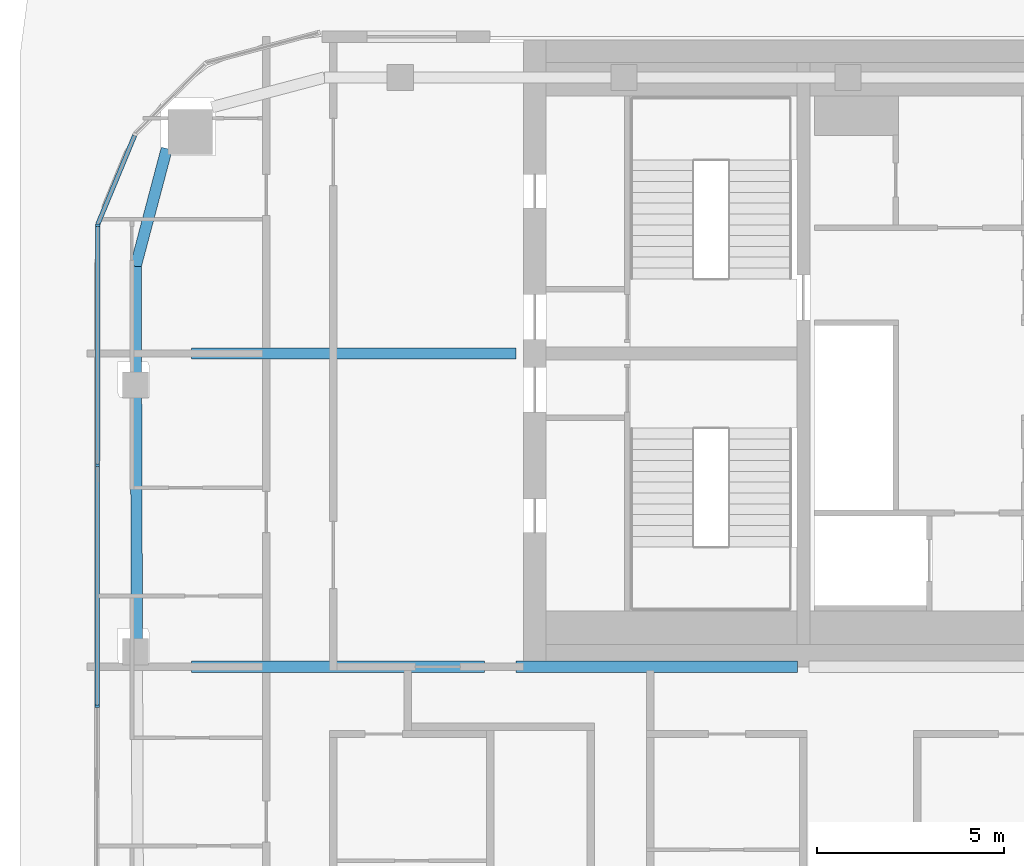
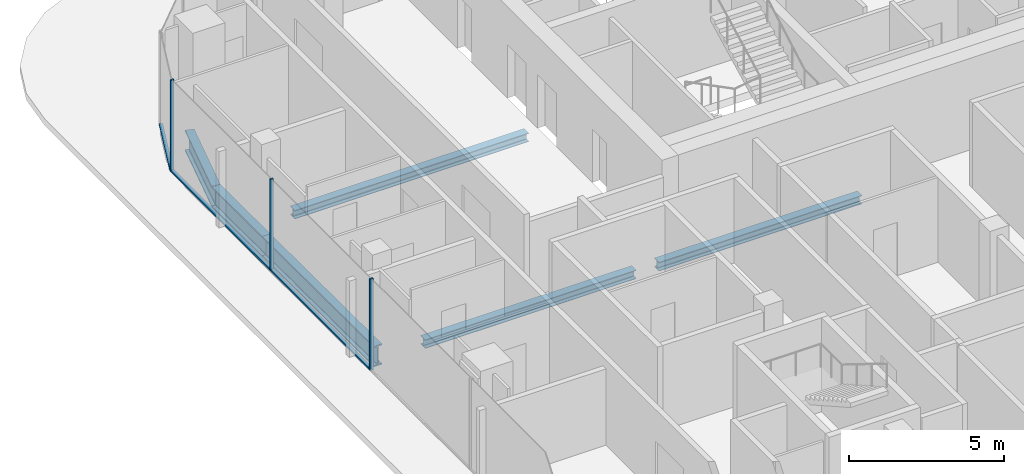
# One storey, part 8 of 21: 6 beams, 6 members, 2 elements without a shape of their own.
"""IFC4 building model written with IfcOpenShell, lengths in metres."""

from ifc_helpers import new_model, si_unit, direction, frame, origin, origin_2d, place, context, subcontext, project, spatial, rectangle, i_section, extrude, material, layer, layer_set, material_profile, profile_set, type_object, element, aggregate, save


model = new_model("IFC4")

# Units and contexts
model_context = context("Model", 3, precision=1e-05, world=origin(), true_north=direction((0.0, 1.0)))
body_context = subcontext(model_context, "Body", "Model", "MODEL_VIEW")
ifc_project = project(units=[si_unit("LENGTHUNIT", "METRE"), si_unit("AREAUNIT", "SQUARE_METRE"), si_unit("VOLUMEUNIT", "CUBIC_METRE"), si_unit("PLANEANGLEUNIT", "RADIAN"), si_unit("MASSUNIT", "GRAM", prefix="KILO")], contexts=[model_context])

# Site, building, storey
site_placement = place(None, origin())
site = spatial("IfcSite", under=ifc_project, at=site_placement, CompositionType="ELEMENT")
building_placement = place(site_placement, origin())
building = spatial("IfcBuilding", under=site, at=building_placement, Name="Marenta Gate Hotel Tower", CompositionType="ELEMENT")
storey_placement = place(building_placement, frame((0.0, 0.0, 266.89990234375)))
storey = spatial("IfcBuildingStorey", under=building, at=storey_placement, Name="L61", CompositionType="ELEMENT", Elevation=266.89990234375)

# Beams
ifc_material_1 = material(Name="Steel S355", Category="steel")
ifc_material_profile_1 = material_profile(ifc_material_1, i_section(OverallWidth=0.302978515625, OverallDepth=0.81396484375, WebThickness=0.030029296875, FlangeThickness=0.052001953125, FilletRadius=0.030029296875, at=origin_2d()), Name="HEM 800")
ifc_profile_set_1 = profile_set([ifc_material_profile_1], Name="Steel S355")
beam_type_1 = type_object("IfcBeamType", Name="Edge beam HEM 800", PredefinedType="SPANDREL", material=ifc_profile_set_1)
beam_1_placement = place(storey_placement, frame((-22.0654296875, 0.36328125, -0.6669921875), z_axis=(-0.003341527907, 0.99999441708, 0.0), x_axis=(-0.99999441708, -0.003341527907, 0.0)))
element("IfcBeam", 1, at=beam_1_placement, inside=storey, type_object=beam_type_1, Name="L61-EB-9", PredefinedType="SPANDREL", context=body_context, shape_type="SweptSolid", body=[
    extrude(i_section(OverallWidth=0.302978515625, OverallDepth=0.81396484375, WebThickness=0.030029296875, FlangeThickness=0.052001953125, FilletRadius=0.030029296875, at=origin_2d()), origin(), (0.0, 0.0, 1.0), 7.233154296875),
])
beam_2_placement = place(storey_placement, frame((-22.08935546875, 7.516357421875, -0.6669921875), z_axis=(-0.003338119631, 0.999994428463, 0.0), x_axis=(-0.999994428463, -0.003338119631, 0.0)))
element("IfcBeam", 2, at=beam_2_placement, inside=storey, type_object=beam_type_1, Name="L61-EB-10", PredefinedType="SPANDREL", context=body_context, shape_type="SweptSolid", body=[
    extrude(i_section(OverallWidth=0.302978515625, OverallDepth=0.81396484375, WebThickness=0.030029296875, FlangeThickness=0.052001953125, FilletRadius=0.030029296875, at=origin_2d()), origin(), (0.0, 0.0, 1.0), 3.218017578125),
])
beam_3_placement = place(storey_placement, frame((-22.10009765625, 10.734375, -0.6669921875), z_axis=(0.255652161273, 0.966768830919, 0.0), x_axis=(-0.966768830919, 0.255652161273, 0.0)))
element("IfcBeam", 3, at=beam_3_placement, inside=storey, type_object=beam_type_1, Name="L61-EB-11", PredefinedType="SPANDREL", context=body_context, shape_type="SweptSolid", body=[
    extrude(i_section(OverallWidth=0.302978515625, OverallDepth=0.81396484375, WebThickness=0.030029296875, FlangeThickness=0.052001953125, FilletRadius=0.030029296875, at=origin_2d()), origin(), (0.0, 0.0, 1.0), 3.26611328125),
])
ifc_material_2 = material(Name="Steel S355", Category="steel")
ifc_material_profile_2 = material_profile(ifc_material_2, i_section(OverallWidth=0.300048828125, OverallDepth=0.340087890625, WebThickness=0.011962890625, FlangeThickness=0.021484375, FilletRadius=0.027099609375, at=origin_2d()), Name="HEB 340")
ifc_profile_set_2 = profile_set([ifc_material_profile_2], Name="Steel S355")
beam_type_2 = type_object("IfcBeamType", Name="Girder HEB 340", PredefinedType="BEAM", material=ifc_profile_set_2)
beam_4_placement = place(storey_placement, frame((-20.60009765625, 0.0, -0.429931640625), z_axis=(1.0, 0.0, 0.0), x_axis=(0.0, 1.0, 0.0)))
element("IfcBeam", 4, at=beam_4_placement, inside=storey, type_object=beam_type_2, Name="L61-GD-17", PredefinedType="BEAM", context=body_context, shape_type="SweptSolid", body=[
    extrude(i_section(OverallWidth=0.300048828125, OverallDepth=0.340087890625, WebThickness=0.011962890625, FlangeThickness=0.021484375, FilletRadius=0.027099609375, at=origin_2d()), origin(), (0.0, 0.0, 1.0), 7.8486328125),
])
beam_5_placement = place(storey_placement, frame((-11.89990234375, 0.0, -0.429931640625), z_axis=(1.0, 0.0, 0.0), x_axis=(0.0, 1.0, 0.0)))
element("IfcBeam", 5, at=beam_5_placement, inside=storey, type_object=beam_type_2, Name="L61-GD-18", PredefinedType="BEAM", context=body_context, shape_type="SweptSolid", body=[
    extrude(i_section(OverallWidth=0.300048828125, OverallDepth=0.340087890625, WebThickness=0.011962890625, FlangeThickness=0.021484375, FilletRadius=0.027099609375, at=origin_2d()), origin(), (0.0, 0.0, 1.0), 7.54833984375),
])
beam_6_placement = place(storey_placement, frame((-20.60009765625, 8.39990234375, -0.429931640625), z_axis=(1.0, 0.0, 0.0), x_axis=(0.0, 1.0, 0.0)))
element("IfcBeam", 6, at=beam_6_placement, inside=storey, type_object=beam_type_2, Name="L61-GD-22", PredefinedType="BEAM", context=body_context, shape_type="SweptSolid", body=[
    extrude(i_section(OverallWidth=0.300048828125, OverallDepth=0.340087890625, WebThickness=0.011962890625, FlangeThickness=0.021484375, FilletRadius=0.027099609375, at=origin_2d()), origin(), (0.0, 0.0, 1.0), 8.7001953125),
])

# Curtain wall, members
ifc_material_3 = material(Name="Tinted insulated glass in bronze anodised frame", Category="glass")
ifc_layer = layer(ifc_material_3, 0.1201171875)
ifc_layer_set = layer_set([ifc_layer], Name="Tinted insulated glass in bronze anodised frame")
curtain_wall_type = type_object("IfcCurtainWallType", Name="Tower unitised curtain wall CW1", PredefinedType="NOTDEFINED", material=ifc_layer_set)
curtain_wall_1_placement = place(storey_placement, origin())
curtain_wall_1 = element("IfcCurtainWall", 7, at=curtain_wall_1_placement, inside=storey, type_object=curtain_wall_type, Name="CW1 run G03", PredefinedType="NOTDEFINED")
ifc_material_4 = material(Name="Bronze anodised aluminium", Category="aluminium")
ifc_material_profile_3 = material_profile(ifc_material_4, rectangle(XDim=0.1201171875, YDim=0.06005859375, at=origin_2d()), Name="Mullion CW1 60x120 bronze anodised aluminium")
ifc_profile_set_3 = profile_set([ifc_material_profile_3], Name="Bronze anodised aluminium")
member_type_1 = type_object("IfcMemberType", Name="Mullion CW1 60x120 bronze anodised aluminium", PredefinedType="MULLION", material=ifc_profile_set_3)
member_1_placement = place(storey_placement, frame((-23.1123046875, 11.836181640625, 0.0), z_axis=(0.0, 0.0, 1.0), x_axis=(0.99999877375, -0.001566045546, 0.0)))
member_1 = element("IfcMember", 8, at=member_1_placement, type_object=member_type_1, Name="CW1 mullion 1", PredefinedType="MULLION", context=body_context, shape_type="SweptSolid", body=[
    extrude(rectangle(XDim=0.1201171875, YDim=0.06005859375, at=origin_2d()), origin(), (0.0, 0.0, 1.0), 3.60009765625),
])
member_2_placement = place(storey_placement, frame((-23.122314453125, 5.40625, 0.0), z_axis=(0.0, 0.0, 1.0), x_axis=(0.99999877375, -0.001566045546, 0.0)))
member_2 = element("IfcMember", 9, at=member_2_placement, type_object=member_type_1, Name="CW1 mullion 2", PredefinedType="MULLION", context=body_context, shape_type="SweptSolid", body=[
    extrude(rectangle(XDim=0.1201171875, YDim=0.06005859375, at=origin_2d()), origin(), (0.0, 0.0, 1.0), 3.60009765625),
])
member_3_placement = place(storey_placement, frame((-23.132568359375, -1.0537109375, 0.0), z_axis=(0.0, 0.0, 1.0), x_axis=(0.99999877375, -0.001566045546, 0.0)))
member_3 = element("IfcMember", 10, at=member_3_placement, type_object=member_type_1, Name="CW1 mullion 3", PredefinedType="MULLION", context=body_context, shape_type="SweptSolid", body=[
    extrude(rectangle(XDim=0.1201171875, YDim=0.06005859375, at=origin_2d()), origin(), (0.0, 0.0, 1.0), 3.60009765625),
])

# Curtain wall, member
curtain_wall_2_placement = place(storey_placement, origin())
curtain_wall_2 = element("IfcCurtainWall", 11, at=curtain_wall_2_placement, inside=storey, type_object=curtain_wall_type, Name="CW1 run G02", PredefinedType="NOTDEFINED")
ifc_material_5 = material(Name="Bronze anodised aluminium", Category="aluminium")
ifc_material_profile_4 = material_profile(ifc_material_5, rectangle(XDim=0.1201171875, YDim=0.06005859375, at=origin_2d()), Name="Transom CW1 60x120 bronze anodised aluminium")
ifc_profile_set_4 = profile_set([ifc_material_profile_4], Name="Bronze anodised aluminium")
member_type_2 = type_object("IfcMemberType", Name="Transom CW1 60x120 bronze anodised aluminium", PredefinedType="USERDEFINED", material=ifc_profile_set_4)
member_4_placement = place(storey_placement, frame((-22.126708984375, 14.245849609375, 0.030029296875), z_axis=(-0.382655957149, -0.92389091264, 0.0), x_axis=(0.92389091264, -0.382655957149, 0.0)))
member_4 = element("IfcMember", 12, at=member_4_placement, type_object=member_type_2, Name="CW1 transom 1.1", ObjectType="TRANSOM", PredefinedType="USERDEFINED", context=body_context, shape_type="SweptSolid", body=[
    extrude(rectangle(XDim=0.1201171875, YDim=0.06005859375, at=origin_2d()), origin(), (0.0, 0.0, 1.0), 2.57568359375),
])
aggregate(curtain_wall_2, [member_4])

# Member
member_5_placement = place(storey_placement, frame((-23.1123046875, 11.80615234375, 0.030029296875), z_axis=(-0.001571421156, -0.999998765317, 0.0), x_axis=(0.999998765317, -0.001571421156, 0.0)))
member_5 = element("IfcMember", 13, at=member_5_placement, type_object=member_type_2, Name="CW1 transom 1.1", ObjectType="TRANSOM", PredefinedType="USERDEFINED", context=body_context, shape_type="SweptSolid", body=[
    extrude(rectangle(XDim=0.1201171875, YDim=0.06005859375, at=origin_2d()), origin(), (0.0, 0.0, 1.0), 6.369873046875),
])

member_6_placement = place(storey_placement, frame((-23.12255859375, 5.376220703125, 0.030029296875), z_axis=(-0.001564047831, -0.999998776876, 0.0), x_axis=(0.999998776876, -0.001564047831, 0.0)))
member_6 = element("IfcMember", 14, at=member_6_placement, type_object=member_type_2, Name="CW1 transom 2.1", ObjectType="TRANSOM", PredefinedType="USERDEFINED", context=body_context, shape_type="SweptSolid", body=[
    extrude(rectangle(XDim=0.1201171875, YDim=0.06005859375, at=origin_2d()), origin(), (0.0, 0.0, 1.0), 6.39990234375),
])

aggregate(curtain_wall_1, [member_1, member_2, member_3, member_5, member_6])

save(model, "model.ifc")
